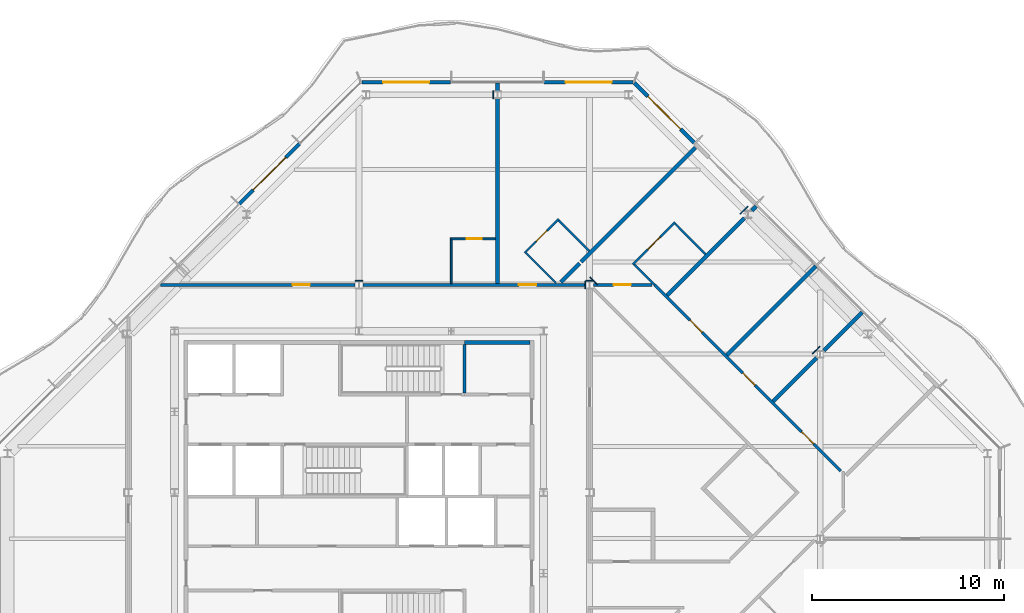
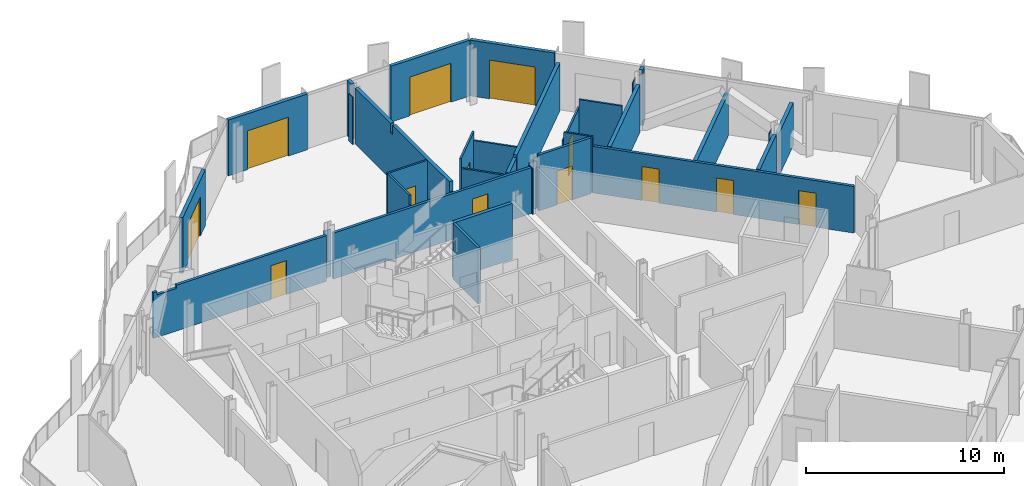
# One storey, part 11 of 17: 34 walls, 13 doors, 13 openings.
"""IFC4 building model written with IfcOpenShell, lengths in metres."""

from ifc_helpers import new_model, si_unit, direction, frame, frame_2d, origin, place, context, subcontext, project, spatial, polyline, rectangle, outline, extrude, material, layer, layer_set, type_object, element, fill, save


model = new_model("IFC4")

# Units and contexts
model_context = context("Model", 3, precision=1e-05, world=origin(), true_north=direction((0.0, 1.0)))
body_context = subcontext(model_context, "Body", "Model", "MODEL_VIEW")
ifc_project = project(units=[si_unit("LENGTHUNIT", "METRE"), si_unit("AREAUNIT", "SQUARE_METRE"), si_unit("VOLUMEUNIT", "CUBIC_METRE"), si_unit("PLANEANGLEUNIT", "RADIAN"), si_unit("MASSUNIT", "GRAM", prefix="KILO")], contexts=[model_context])

# Site, building, storey
site_placement = place(None, origin())
site = spatial("IfcSite", under=ifc_project, at=site_placement, CompositionType="ELEMENT")
building_placement = place(site_placement, origin())
building = spatial("IfcBuilding", under=site, at=building_placement, Name="Cairn Pilgrim Tower", CompositionType="ELEMENT")
storey_placement = place(building_placement, frame((0.0, 0.0, 274.199951171875)))
storey = spatial("IfcBuildingStorey", under=building, at=storey_placement, Name="L70", CompositionType="ELEMENT", Elevation=274.199951171875)

# Wall, opening, door
ifc_material_1 = material(Name="Bronze anodised aluminium insulated sandwich panel with mineral wool fill", Category="aluminium")
ifc_layer_1 = layer(ifc_material_1, 0.199951171875)
ifc_layer_set_1 = layer_set([ifc_layer_1], Name="BRONZE INFILL FRAME WALL 200")
wall_type_1 = type_object("IfcWallType", Name="BRONZE INFILL FRAME WALL 200", PredefinedType="NOTDEFINED", material=ifc_layer_set_1)
wall_1_placement = place(storey_placement, frame((24.65087890625, 20.595703125, 0.0), z_axis=(0.0, 0.0, 1.0), x_axis=(-0.707134392299, 0.707079168996, 0.0)))
wall_1 = element("IfcWall", 1, at=wall_1_placement, inside=storey, type_object=wall_type_1, Name="Bronze infill frame wall IW-NE6", PredefinedType="NOTDEFINED", context=body_context, shape_type="SweptSolid", body=[
    extrude(rectangle(XDim=4.4208984375, YDim=0.199951171875, at=frame_2d((2.21044921875, 0.0))), origin(), (0.0, 0.0, 1.0), 3.449951171875),
])
opening_1_placement = place(wall_1_placement, frame((1.015625, 0.0, 0.0)))
opening_1 = element("IfcOpeningElement", 2, at=opening_1_placement, cuts=wall_1, Name="Opening 7009B2", PredefinedType="OPENING", context=body_context, shape_type="SweptSolid", body=[
    extrude(rectangle(XDim=2.39990234375, YDim=2.39990234375, at=frame_2d((1.199951171875, 1.199951171875))), frame((0.0, 0.10986328125, 0.0), z_axis=(0.0, -1.0, 0.0), x_axis=(1.0, 0.0, 0.0)), (0.0, 0.0, 1.0), 0.219970703125),
])
ifc_material_2 = material(Name="Bronze anodised aluminium frame with tinted low-E glass", Category="aluminium")
door_type_1 = type_object("IfcDoorType", Name="BALCONY SLIDING DOOR 2400x2400", OperationType="DOUBLE_DOOR_SLIDING", PredefinedType="DOOR", material=ifc_material_2)
door_1_placement = place(opening_1_placement, origin())
door_1 = element("IfcDoor", 3, at=door_1_placement, inside=storey, type_object=door_type_1, Name="Balcony sliding door 7009B2", OperationType="SINGLE_SWING_LEFT", OverallHeight=2.39990234375, OverallWidth=2.39990234375, PredefinedType="DOOR", context=body_context, shape_type="SweptSolid", body=[
    extrude(rectangle(XDim=2.39990234375, YDim=2.39990234375, at=frame_2d((1.199951171875, 1.199951171875))), frame((0.0, 0.02490234375, 0.0), z_axis=(0.0, -1.0, 0.0), x_axis=(1.0, 0.0, 0.0)), (0.0, 0.0, 1.0), 0.050048828125),
])
fill(opening_1, door_1)

wall_2_placement = place(storey_placement, frame((21.45654296875, 23.75, 0.0), z_axis=(0.0, 0.0, 1.0), x_axis=(-1.0, 0.0, 0.0)))
wall_2 = element("IfcWall", 4, at=wall_2_placement, inside=storey, type_object=wall_type_1, Name="Bronze infill frame wall IW-N1", PredefinedType="NOTDEFINED", context=body_context, shape_type="SweptSolid", body=[
    extrude(rectangle(XDim=4.62646484375, YDim=0.199951171875, at=frame_2d((2.313232421875, 0.0))), origin(), (0.0, 0.0, 1.0), 3.449951171875),
])
opening_2_placement = place(wall_2_placement, frame((1.1083984375, 0.0, 0.0)))
opening_2 = element("IfcOpeningElement", 5, at=opening_2_placement, cuts=wall_2, Name="Opening 7009B", PredefinedType="OPENING", context=body_context, shape_type="SweptSolid", body=[
    extrude(rectangle(XDim=2.39990234375, YDim=2.39990234375, at=frame_2d((1.199951171875, 1.199951171875))), frame((0.0, 0.10986328125, 0.0), z_axis=(0.0, -1.0, 0.0), x_axis=(1.0, 0.0, 0.0)), (0.0, 0.0, 1.0), 0.219970703125),
])
door_2_placement = place(opening_2_placement, origin())
door_2 = element("IfcDoor", 6, at=door_2_placement, inside=storey, type_object=door_type_1, Name="Balcony sliding door 7009B", OperationType="SINGLE_SWING_LEFT", OverallHeight=2.39990234375, OverallWidth=2.39990234375, PredefinedType="DOOR", context=body_context, shape_type="SweptSolid", body=[
    extrude(rectangle(XDim=2.39990234375, YDim=2.39990234375, at=frame_2d((1.199951171875, 1.199951171875))), frame((0.0, 0.02490234375, 0.0), z_axis=(0.0, -1.0, 0.0), x_axis=(1.0, 0.0, 0.0)), (0.0, 0.0, 1.0), 0.050048828125),
])
fill(opening_2, door_2)

wall_3_placement = place(storey_placement, frame((11.969970703125, 23.75, 0.0), z_axis=(0.0, 0.0, 1.0), x_axis=(-1.0, 0.0, 0.0)))
wall_3 = element("IfcWall", 7, at=wall_3_placement, inside=storey, type_object=wall_type_1, Name="Bronze infill frame wall IW-N3", PredefinedType="NOTDEFINED", context=body_context, shape_type="SweptSolid", body=[
    extrude(rectangle(XDim=4.62646484375, YDim=0.199951171875, at=frame_2d((2.313232421875, 0.0))), origin(), (0.0, 0.0, 1.0), 3.449951171875),
])
opening_3_placement = place(wall_3_placement, frame((1.117919921875, 0.0, 0.0)))
opening_3 = element("IfcOpeningElement", 8, at=opening_3_placement, cuts=wall_3, Name="Opening 7010B2", PredefinedType="OPENING", context=body_context, shape_type="SweptSolid", body=[
    extrude(rectangle(XDim=2.39990234375, YDim=2.39990234375, at=frame_2d((1.199951171875, 1.199951171875))), frame((0.0, 0.10986328125, 0.0), z_axis=(0.0, -1.0, 0.0), x_axis=(1.0, 0.0, 0.0)), (0.0, 0.0, 1.0), 0.219970703125),
])
door_3_placement = place(opening_3_placement, origin())
door_3 = element("IfcDoor", 9, at=door_3_placement, inside=storey, type_object=door_type_1, Name="Balcony sliding door 7010B2", OperationType="SINGLE_SWING_LEFT", OverallHeight=2.39990234375, OverallWidth=2.39990234375, PredefinedType="DOOR", context=body_context, shape_type="SweptSolid", body=[
    extrude(rectangle(XDim=2.39990234375, YDim=2.39990234375, at=frame_2d((1.199951171875, 1.199951171875))), frame((0.0, 0.02490234375, 0.0), z_axis=(0.0, -1.0, 0.0), x_axis=(1.0, 0.0, 0.0)), (0.0, 0.0, 1.0), 0.050048828125),
])
fill(opening_3, door_3)

wall_4_placement = place(storey_placement, frame((4.106689453125, 20.55322265625, 0.0), z_axis=(0.0, 0.0, 1.0), x_axis=(-0.707079231393, -0.707134329907, 0.0)))
wall_4 = element("IfcWall", 10, at=wall_4_placement, inside=storey, type_object=wall_type_1, Name="Bronze infill frame wall IW-NW2", PredefinedType="NOTDEFINED", context=body_context, shape_type="SweptSolid", body=[
    extrude(rectangle(XDim=4.430908203125, YDim=0.199951171875, at=frame_2d((2.21533203125, 0.0))), origin(), (0.0, 0.0, 1.0), 3.449951171875),
])
opening_4_placement = place(wall_4_placement, frame((1.015380859375, 0.0, 0.0)))
opening_4 = element("IfcOpeningElement", 11, at=opening_4_placement, cuts=wall_4, Name="Opening 7010B", PredefinedType="OPENING", context=body_context, shape_type="SweptSolid", body=[
    extrude(rectangle(XDim=2.39990234375, YDim=2.39990234375, at=frame_2d((1.199951171875, 1.199951171875))), frame((0.0, 0.10986328125, 0.0), z_axis=(0.0, -1.0, 0.0), x_axis=(1.0, 0.0, 0.0)), (0.0, 0.0, 1.0), 0.219970703125),
])
door_4_placement = place(opening_4_placement, origin())
door_4 = element("IfcDoor", 12, at=door_4_placement, inside=storey, type_object=door_type_1, Name="Balcony sliding door 7010B", OperationType="SINGLE_SWING_LEFT", OverallHeight=2.39990234375, OverallWidth=2.39990234375, PredefinedType="DOOR", context=body_context, shape_type="SweptSolid", body=[
    extrude(rectangle(XDim=2.39990234375, YDim=2.39990234375, at=frame_2d((1.199951171875, 1.199951171875))), frame((0.0, 0.02490234375, 0.0), z_axis=(0.0, -1.0, 0.0), x_axis=(1.0, 0.0, 0.0)), (0.0, 0.0, 1.0), 0.050048828125),
])
fill(opening_4, door_4)

# Walls
ifc_material_3 = material(Name="Concrete C32/40", Category="concrete")
ifc_layer_2 = layer(ifc_material_3, 0.199951171875)
ifc_layer_set_2 = layer_set([ifc_layer_2], Name="CORE OUTER WALL 200 EI 120")
wall_type_2 = type_object("IfcWallType", Name="CORE OUTER WALL 200 EI 120", PredefinedType="SOLIDWALL", material=ifc_layer_set_2)
wall_5_placement = place(storey_placement, frame((12.699951171875, 10.199951171875, 0.0), z_axis=(0.0, 0.0, 1.0), x_axis=(1.0, 0.0, 0.0)))
element("IfcWall", 13, at=wall_5_placement, inside=storey, type_object=wall_type_2, Name="CW:L70:H12-3", PredefinedType="SOLIDWALL", context=body_context, shape_type="SweptSolid", body=[
    extrude(rectangle(XDim=3.400146484375, YDim=0.199951171875, at=frame_2d((1.7001953125, 0.0))), origin(), (0.0, 0.0, 1.0), 3.449951171875),
])
ifc_material_4 = material(Name="Gypsum partition")
ifc_layer_3 = layer(ifc_material_4, 0.10009765625)
ifc_layer_set_3 = layer_set([ifc_layer_3], Name="PARTITION 100 DRYWALL")
wall_type_3 = type_object("IfcWallType", Name="PARTITION 100 DRYWALL", PredefinedType="PARTITIONING", material=ifc_layer_set_3)
wall_6_placement = place(storey_placement, frame((22.593994140625, 13.199951171875, 0.0), z_axis=(0.0, 0.0, 1.0), x_axis=(-0.707106781187, 0.707106781187, 0.0)))
element("IfcWall", 14, at=wall_6_placement, inside=storey, type_object=wall_type_3, Name="PARTITION W053", PredefinedType="PARTITIONING", context=body_context, shape_type="SweptSolid", body=[
    extrude(rectangle(XDim=1.513916015625, YDim=0.10009765625, at=frame_2d((0.7568359375, 0.0))), origin(), (0.0, 0.0, 1.0), 3.449951171875),
])
wall_7_placement = place(storey_placement, frame((12.0, 13.27490234375, 0.0), z_axis=(0.0, 0.0, 1.0), x_axis=(0.0, 1.0, 0.0)))
element("IfcWall", 15, at=wall_7_placement, inside=storey, type_object=wall_type_3, Name="PARTITION W054", PredefinedType="PARTITIONING", context=body_context, shape_type="SweptSolid", body=[
    extrude(outline(polyline([(0.0, 0.0), (2.275146484375, 0.0), (2.27490234375, 3.449951171875), (0.074951171875, 3.449951171875), (0.072998046875, 2.830078125), (0.0, 2.830078125), (0.0, 0.0)])), frame((0.0, 0.050048828125, 0.0), z_axis=(0.0, -1.0, 0.0), x_axis=(1.0, 0.0, 0.0)), (0.0, 0.0, 1.0), 0.10009765625),
])
wall_8_placement = place(storey_placement, frame((17.441650390625, 13.310302734375, 0.0), z_axis=(0.0, 0.0, 1.0), x_axis=(-0.707273623788, 0.706939899209, 0.0)))
element("IfcWall", 16, at=wall_8_placement, inside=storey, type_object=wall_type_3, Name="PARTITION W056", PredefinedType="PARTITIONING", context=body_context, shape_type="SweptSolid", body=[
    extrude(rectangle(XDim=2.194580078125, YDim=0.10009765625, at=frame_2d((1.09716796875, 0.0))), origin(), (0.0, 0.0, 1.0), 2.830078125),
])

# Wall, opening, door
wall_9_placement = place(storey_placement, frame((21.45263671875, 14.2705078125, 0.0), z_axis=(0.0, 0.0, 1.0), x_axis=(0.70690988682, 0.707303620743, 0.0)))
wall_9 = element("IfcWall", 17, at=wall_9_placement, inside=storey, type_object=wall_type_3, Name="PARTITION W058", PredefinedType="PARTITIONING", context=body_context, shape_type="SweptSolid", body=[
    extrude(rectangle(XDim=3.100341796875, YDim=0.10009765625, at=frame_2d((1.55029296875, 0.0))), origin(), (0.0, 0.0, 1.0), 2.929931640625),
])
opening_5_placement = place(wall_9_placement, frame((1.100341796875, 0.0, 0.0)))
opening_5 = element("IfcOpeningElement", 18, at=opening_5_placement, cuts=wall_9, Name="Opening 7008A", PredefinedType="OPENING", context=body_context, shape_type="SweptSolid", body=[
    extrude(rectangle(XDim=0.89990234375, YDim=2.10009765625, at=frame_2d((0.449951171875, 1.050048828125))), frame((0.0, 0.06005859375, 0.0), z_axis=(0.0, -1.0, 0.0), x_axis=(1.0, 0.0, 0.0)), (0.0, 0.0, 1.0), 0.1201171875),
])
ifc_material_5 = material(Name="Timber door leaf", Category="wood")
door_type_2 = type_object("IfcDoorType", Name="WC DOOR 900x2100", OperationType="NOTDEFINED", PredefinedType="DOOR", material=ifc_material_5)
door_5_placement = place(opening_5_placement, origin())
door_5 = element("IfcDoor", 19, at=door_5_placement, inside=storey, type_object=door_type_2, Name="DOOR 7008A", OperationType="SINGLE_SWING_LEFT", OverallHeight=2.10009765625, OverallWidth=0.89990234375, PredefinedType="DOOR", context=body_context, shape_type="SweptSolid", body=[
    extrude(rectangle(XDim=0.89990234375, YDim=2.10009765625, at=frame_2d((0.449951171875, 1.050048828125))), frame((0.0, 0.02490234375, 0.0), z_axis=(0.0, -1.0, 0.0), x_axis=(1.0, 0.0, 0.0)), (0.0, 0.0, 1.0), 0.050048828125),
])
fill(opening_5, door_5)

# Wall
wall_10_placement = place(storey_placement, frame((25.2353515625, 14.80078125, 0.0), z_axis=(0.0, 0.0, 1.0), x_axis=(-0.706944047094, 0.707269477836, 0.0)))
element("IfcWall", 20, at=wall_10_placement, inside=storey, type_object=wall_type_3, Name="PARTITION W060", PredefinedType="PARTITIONING", context=body_context, shape_type="SweptSolid", body=[
    extrude(rectangle(XDim=2.250732421875, YDim=0.10009765625, at=frame_2d((1.12548828125, 0.0))), origin(), (0.0, 0.0, 1.0), 3.449951171875),
])

# Wall, opening, door
wall_11_placement = place(storey_placement, frame((15.818603515625, 14.86181640625, 0.0), z_axis=(0.0, 0.0, 1.0), x_axis=(0.707350821469, 0.706862656651, 0.0)))
wall_11 = element("IfcWall", 21, at=wall_11_placement, inside=storey, type_object=wall_type_3, Name="PARTITION W061", PredefinedType="PARTITIONING", context=body_context, shape_type="SweptSolid", body=[
    extrude(rectangle(XDim=2.50048828125, YDim=0.10009765625, at=frame_2d((1.250244140625, 0.0))), origin(), (0.0, 0.0, 1.0), 3.449951171875),
])
opening_6_placement = place(wall_11_placement, frame((0.8505859375, 0.0, 0.0)))
opening_6 = element("IfcOpeningElement", 22, at=opening_6_placement, cuts=wall_11, Name="Opening 7009A", PredefinedType="OPENING", context=body_context, shape_type="SweptSolid", body=[
    extrude(rectangle(XDim=0.800048828125, YDim=2.10009765625, at=frame_2d((0.39990234375, 1.050048828125))), frame((0.0, 0.06005859375, 0.0), z_axis=(0.0, -1.0, 0.0), x_axis=(1.0, 0.0, 0.0)), (0.0, 0.0, 1.0), 0.1201171875),
])
door_type_3 = type_object("IfcDoorType", Name="WC DOOR 800x2100", OperationType="NOTDEFINED", PredefinedType="DOOR", material=ifc_material_5)
door_6_placement = place(opening_6_placement, origin())
door_6 = element("IfcDoor", 23, at=door_6_placement, inside=storey, type_object=door_type_3, Name="DOOR 7009A", OperationType="SINGLE_SWING_LEFT", OverallHeight=2.10009765625, OverallWidth=0.800048828125, PredefinedType="DOOR", context=body_context, shape_type="SweptSolid", body=[
    extrude(rectangle(XDim=0.800048828125, YDim=2.10009765625, at=frame_2d((0.39990234375, 1.050048828125))), frame((0.0, 0.02490234375, 0.0), z_axis=(0.0, -1.0, 0.0), x_axis=(1.0, 0.0, 0.0)), (0.0, 0.0, 1.0), 0.050048828125),
])
fill(opening_6, door_6)

# Wall
wall_12_placement = place(storey_placement, frame((19.17724609375, 14.9677734375, 0.0), z_axis=(0.0, 0.0, 1.0), x_axis=(-0.706889644159, 0.707323851557, 0.0)))
element("IfcWall", 24, at=wall_12_placement, inside=storey, type_object=wall_type_3, Name="PARTITION W062", PredefinedType="PARTITIONING", context=body_context, shape_type="SweptSolid", body=[
    extrude(rectangle(XDim=2.2490234375, YDim=0.10009765625, at=frame_2d((1.12451171875, 0.0))), origin(), (0.0, 0.0, 1.0), 2.929931640625),
])

# Wall, opening, door
wall_13_placement = place(storey_placement, frame((11.949951171875, 15.60009765625, 0.0), z_axis=(0.0, 0.0, 1.0), x_axis=(1.0, 0.0, 0.0)))
wall_13 = element("IfcWall", 25, at=wall_13_placement, inside=storey, type_object=wall_type_3, Name="PARTITION W063", PredefinedType="PARTITIONING", context=body_context, shape_type="SweptSolid", body=[
    extrude(rectangle(XDim=2.35009765625, YDim=0.10009765625, at=frame_2d((1.175048828125, 0.0))), origin(), (0.0, 0.0, 1.0), 3.449951171875),
])
opening_7_placement = place(wall_13_placement, frame((0.85009765625, 0.0, 0.0)))
opening_7 = element("IfcOpeningElement", 26, at=opening_7_placement, cuts=wall_13, Name="Opening 7010A", PredefinedType="OPENING", context=body_context, shape_type="SweptSolid", body=[
    extrude(rectangle(XDim=0.800048828125, YDim=2.10009765625, at=frame_2d((0.39990234375, 1.050048828125))), frame((0.0, 0.06005859375, 0.0), z_axis=(0.0, -1.0, 0.0), x_axis=(1.0, 0.0, 0.0)), (0.0, 0.0, 1.0), 0.1201171875),
])
door_7_placement = place(opening_7_placement, origin())
door_7 = element("IfcDoor", 27, at=door_7_placement, inside=storey, type_object=door_type_3, Name="DOOR 7010A", OperationType="SINGLE_SWING_RIGHT", OverallHeight=2.10009765625, OverallWidth=0.800048828125, PredefinedType="DOOR", context=body_context, shape_type="SweptSolid", body=[
    extrude(rectangle(XDim=0.800048828125, YDim=2.10009765625, at=frame_2d((0.39990234375, 1.050048828125))), frame((0.0, 0.02490234375, 0.0), z_axis=(0.0, -1.0, 0.0), x_axis=(1.0, 0.0, 0.0)), (0.0, 0.0, 1.0), 0.050048828125),
])
fill(opening_7, door_7)

# Wall, openings, doors
ifc_layer_4 = layer(ifc_material_4, 0.14990234375)
ifc_layer_set_4 = layer_set([ifc_layer_4], Name="PARTITION 150 DRYWALL EI 60")
wall_type_4 = type_object("IfcWallType", Name="PARTITION 150 DRYWALL EI 60", PredefinedType="PARTITIONING", material=ifc_layer_set_4)
wall_14_placement = place(storey_placement, frame((32.27197265625, 3.52197265625, 0.0), z_axis=(0.0, 0.0, 1.0), x_axis=(-0.707106781187, 0.707106781187, 0.0)))
wall_14 = element("IfcWall", 28, at=wall_14_placement, inside=storey, type_object=wall_type_4, Name="PARTITION W044", PredefinedType="PARTITIONING", context=body_context, shape_type="SweptSolid", body=[
    extrude(rectangle(XDim=13.686767578125, YDim=0.14990234375, at=frame_2d((6.84326171875, 0.0))), origin(), (0.0, 0.0, 1.0), 2.880126953125),
])
opening_8_placement = place(wall_14_placement, frame((1.98779296875, 0.0, 0.0)))
opening_8 = element("IfcOpeningElement", 29, at=opening_8_placement, cuts=wall_14, Name="Opening 7005", PredefinedType="OPENING", context=body_context, shape_type="SweptSolid", body=[
    extrude(rectangle(XDim=0.89990234375, YDim=2.10009765625, at=frame_2d((0.449951171875, 1.050048828125))), frame((0.0, 0.0849609375, 0.0), z_axis=(0.0, -1.0, 0.0), x_axis=(1.0, 0.0, 0.0)), (0.0, 0.0, 1.0), 0.169921875),
])
opening_9_placement = place(wall_14_placement, frame((6.302978515625, 0.0, 0.0)))
opening_9 = element("IfcOpeningElement", 30, at=opening_9_placement, cuts=wall_14, Name="Opening 7006", PredefinedType="OPENING", context=body_context, shape_type="SweptSolid", body=[
    extrude(rectangle(XDim=0.89990234375, YDim=2.10009765625, at=frame_2d((0.449951171875, 1.050048828125))), frame((0.0, 0.0849609375, 0.0), z_axis=(0.0, -1.0, 0.0), x_axis=(1.0, 0.0, 0.0)), (0.0, 0.0, 1.0), 0.169921875),
])
opening_10_placement = place(wall_14_placement, frame((10.199951171875, 0.0, 0.0)))
opening_10 = element("IfcOpeningElement", 31, at=opening_10_placement, cuts=wall_14, Name="Opening 7007", PredefinedType="OPENING", context=body_context, shape_type="SweptSolid", body=[
    extrude(rectangle(XDim=0.89990234375, YDim=2.10009765625, at=frame_2d((0.449951171875, 1.050048828125))), frame((0.0, 0.0849609375, 0.0), z_axis=(0.0, -1.0, 0.0), x_axis=(1.0, 0.0, 0.0)), (0.0, 0.0, 1.0), 0.169921875),
])
door_type_4 = type_object("IfcDoorType", Name="SERVICE DOOR 900x2100 FD30S", OperationType="NOTDEFINED", PredefinedType="DOOR", material=ifc_material_5)
door_8_placement = place(opening_8_placement, frame((0.89990234375, 0.0, 0.0), z_axis=(0.0, 0.0, 1.0), x_axis=(-1.0, 0.0, 0.0)))
door_8 = element("IfcDoor", 32, at=door_8_placement, inside=storey, type_object=door_type_4, Name="DOOR 7005", OperationType="SINGLE_SWING_LEFT", OverallHeight=2.10009765625, OverallWidth=0.89990234375, PredefinedType="DOOR", context=body_context, shape_type="SweptSolid", body=[
    extrude(rectangle(XDim=0.89990234375, YDim=2.10009765625, at=frame_2d((0.449951171875, 1.050048828125))), frame((0.0, 0.02490234375, 0.0), z_axis=(0.0, -1.0, 0.0), x_axis=(1.0, 0.0, 0.0)), (0.0, 0.0, 1.0), 0.050048828125),
])
fill(opening_8, door_8)
door_9_placement = place(opening_9_placement, frame((0.89990234375, 0.0, 0.0), z_axis=(0.0, 0.0, 1.0), x_axis=(-1.0, 0.0, 0.0)))
door_9 = element("IfcDoor", 33, at=door_9_placement, inside=storey, type_object=door_type_4, Name="DOOR 7006", OperationType="SINGLE_SWING_LEFT", OverallHeight=2.10009765625, OverallWidth=0.89990234375, PredefinedType="DOOR", context=body_context, shape_type="SweptSolid", body=[
    extrude(rectangle(XDim=0.89990234375, YDim=2.10009765625, at=frame_2d((0.449951171875, 1.050048828125))), frame((0.0, 0.02490234375, 0.0), z_axis=(0.0, -1.0, 0.0), x_axis=(1.0, 0.0, 0.0)), (0.0, 0.0, 1.0), 0.050048828125),
])
fill(opening_9, door_9)
door_10_placement = place(opening_10_placement, frame((0.89990234375, 0.0, 0.0), z_axis=(0.0, 0.0, 1.0), x_axis=(-1.0, 0.0, 0.0)))
door_10 = element("IfcDoor", 34, at=door_10_placement, inside=storey, type_object=door_type_4, Name="DOOR 7007", OperationType="SINGLE_SWING_LEFT", OverallHeight=2.10009765625, OverallWidth=0.89990234375, PredefinedType="DOOR", context=body_context, shape_type="SweptSolid", body=[
    extrude(rectangle(XDim=0.89990234375, YDim=2.10009765625, at=frame_2d((0.449951171875, 1.050048828125))), frame((0.0, 0.02490234375, 0.0), z_axis=(0.0, -1.0, 0.0), x_axis=(1.0, 0.0, 0.0)), (0.0, 0.0, 1.0), 0.050048828125),
])
fill(opening_10, door_10)

# Wall, opening, door
wall_15_placement = place(storey_placement, frame((-3.126220703125, 13.199951171875, 0.0), z_axis=(0.0, 0.0, 1.0), x_axis=(1.0, 0.0, 0.0)))
wall_15 = element("IfcWall", 35, at=wall_15_placement, inside=storey, type_object=wall_type_4, Name="PARTITION W050", PredefinedType="PARTITIONING", context=body_context, shape_type="SweptSolid", body=[
    extrude(outline(polyline([(0.0, 0.0), (10.129150390625, 0.0), (10.129150390625, 2.830078125), (1.368896484375, 2.830078125), (1.366943359375, 2.630126953125), (0.22900390625, 2.630126953125), (0.226806640625, 2.830078125), (0.0, 2.830078125), (0.0, 0.0)])), frame((0.0, 0.074951171875, 0.0), z_axis=(0.0, -1.0, 0.0), x_axis=(1.0, 0.0, 0.0)), (0.0, 0.0, 1.0), 0.14990234375),
])
opening_11_placement = place(wall_15_placement, frame((6.8759765625, 0.0, 0.0)))
opening_11 = element("IfcOpeningElement", 36, at=opening_11_placement, cuts=wall_15, Name="Opening 7010", PredefinedType="OPENING", context=body_context, shape_type="SweptSolid", body=[
    extrude(rectangle(XDim=0.89990234375, YDim=2.10009765625, at=frame_2d((0.449951171875, 1.050048828125))), frame((0.0, 0.0849609375, 0.0), z_axis=(0.0, -1.0, 0.0), x_axis=(1.0, 0.0, 0.0)), (0.0, 0.0, 1.0), 0.169921875),
])
door_type_5 = type_object("IfcDoorType", Name="ROOM DOOR 900x2100 FD30S", OperationType="NOTDEFINED", PredefinedType="DOOR", material=ifc_material_5)
door_11_placement = place(opening_11_placement, origin())
door_11 = element("IfcDoor", 37, at=door_11_placement, inside=storey, type_object=door_type_5, Name="DOOR 7010", OperationType="SINGLE_SWING_RIGHT", OverallHeight=2.10009765625, OverallWidth=0.89990234375, PredefinedType="DOOR", context=body_context, shape_type="SweptSolid", body=[
    extrude(rectangle(XDim=0.89990234375, YDim=2.10009765625, at=frame_2d((0.449951171875, 1.050048828125))), frame((0.0, 0.02490234375, 0.0), z_axis=(0.0, -1.0, 0.0), x_axis=(1.0, 0.0, 0.0)), (0.0, 0.0, 1.0), 0.050048828125),
])
fill(opening_11, door_11)

wall_16_placement = place(storey_placement, frame((7.39697265625, 13.199951171875, 0.0), z_axis=(0.0, 0.0, 1.0), x_axis=(1.0, 0.0, 0.0)))
wall_16 = element("IfcWall", 38, at=wall_16_placement, inside=storey, type_object=wall_type_4, Name="PARTITION W051", PredefinedType="PARTITIONING", context=body_context, shape_type="SweptSolid", body=[
    extrude(rectangle(XDim=11.60595703125, YDim=0.14990234375, at=frame_2d((5.802978515625, 0.0))), origin(), (0.0, 0.0, 1.0), 2.830078125),
])
opening_12_placement = place(wall_16_placement, frame((8.12890625, 0.0, 0.0)))
opening_12 = element("IfcOpeningElement", 39, at=opening_12_placement, cuts=wall_16, Name="Opening 7009", PredefinedType="OPENING", context=body_context, shape_type="SweptSolid", body=[
    extrude(rectangle(XDim=0.89990234375, YDim=2.10009765625, at=frame_2d((0.449951171875, 1.050048828125))), frame((0.0, 0.0849609375, 0.0), z_axis=(0.0, -1.0, 0.0), x_axis=(1.0, 0.0, 0.0)), (0.0, 0.0, 1.0), 0.169921875),
])
door_12_placement = place(opening_12_placement, origin())
door_12 = element("IfcDoor", 40, at=door_12_placement, inside=storey, type_object=door_type_5, Name="DOOR 7009", OperationType="SINGLE_SWING_LEFT", OverallHeight=2.10009765625, OverallWidth=0.89990234375, PredefinedType="DOOR", context=body_context, shape_type="SweptSolid", body=[
    extrude(rectangle(XDim=0.89990234375, YDim=2.10009765625, at=frame_2d((0.449951171875, 1.050048828125))), frame((0.0, 0.02490234375, 0.0), z_axis=(0.0, -1.0, 0.0), x_axis=(1.0, 0.0, 0.0)), (0.0, 0.0, 1.0), 0.050048828125),
])
fill(opening_12, door_12)

wall_17_placement = place(storey_placement, frame((19.39697265625, 13.199951171875, 0.0), z_axis=(0.0, 0.0, 1.0), x_axis=(1.0, 0.0, 0.0)))
wall_17 = element("IfcWall", 41, at=wall_17_placement, inside=storey, type_object=wall_type_4, Name="PARTITION W052", PredefinedType="PARTITIONING", context=body_context, shape_type="SweptSolid", body=[
    extrude(rectangle(XDim=3.05126953125, YDim=0.14990234375, at=frame_2d((1.525634765625, 0.0))), origin(), (0.0, 0.0, 1.0), 3.449951171875),
])
opening_13_placement = place(wall_17_placement, frame((1.050048828125, 0.0, 0.0)))
opening_13 = element("IfcOpeningElement", 42, at=opening_13_placement, cuts=wall_17, Name="Opening 7008", PredefinedType="OPENING", context=body_context, shape_type="SweptSolid", body=[
    extrude(rectangle(XDim=0.89990234375, YDim=2.10009765625, at=frame_2d((0.449951171875, 1.050048828125))), frame((0.0, 0.0849609375, 0.0), z_axis=(0.0, -1.0, 0.0), x_axis=(1.0, 0.0, 0.0)), (0.0, 0.0, 1.0), 0.169921875),
])
door_13_placement = place(opening_13_placement, origin())
door_13 = element("IfcDoor", 43, at=door_13_placement, inside=storey, type_object=door_type_5, Name="DOOR 7008", OperationType="SINGLE_SWING_LEFT", OverallHeight=2.10009765625, OverallWidth=0.89990234375, PredefinedType="DOOR", context=body_context, shape_type="SweptSolid", body=[
    extrude(rectangle(XDim=0.89990234375, YDim=2.10009765625, at=frame_2d((0.449951171875, 1.050048828125))), frame((0.0, 0.02490234375, 0.0), z_axis=(0.0, -1.0, 0.0), x_axis=(1.0, 0.0, 0.0)), (0.0, 0.0, 1.0), 0.050048828125),
])
fill(opening_13, door_13)

# Walls
ifc_layer_5 = layer(ifc_material_4, 0.050048828125)
ifc_layer_set_5 = layer_set([ifc_layer_5], Name="PARTITION 50 DRYWALL EI 60")
wall_type_5 = type_object("IfcWallType", Name="PARTITION 50 DRYWALL EI 60", PredefinedType="PARTITIONING", material=ifc_layer_set_5)
wall_18_placement = place(storey_placement, frame((18.97802734375, 13.012451171875, 0.0), z_axis=(0.0, 0.0, 1.0), x_axis=(0.0, 1.0, 0.0)))
element("IfcWall", 44, at=wall_18_placement, inside=storey, type_object=wall_type_5, Name="COLUMN CASING WC16", PredefinedType="PARTITIONING", context=body_context, shape_type="SweptSolid", body=[
    extrude(rectangle(XDim=0.375, YDim=0.050048828125, at=frame_2d((0.1875, 0.0))), origin(), (0.0, 0.0, 1.0), 2.830078125),
])
wall_19_placement = place(storey_placement, frame((19.602294921875, 13.2177734375, 0.0), z_axis=(0.0, 0.0, 1.0), x_axis=(-0.707106781187, 0.707106781187, 0.0)))
element("IfcWall", 45, at=wall_19_placement, inside=storey, type_object=wall_type_5, Name="COLUMN CASING WC18", PredefinedType="PARTITIONING", context=body_context, shape_type="SweptSolid", body=[
    extrude(rectangle(XDim=0.543701171875, YDim=0.050048828125, at=frame_2d((0.27197265625, 0.0))), origin(), (0.0, 0.0, 1.0), 2.929931640625),
])
wall_20_placement = place(storey_placement, frame((30.7978515625, 9.61767578125, 0.0), z_axis=(0.0, 0.0, 1.0), x_axis=(0.707106781187, 0.707106781187, 0.0)))
element("IfcWall", 46, at=wall_20_placement, inside=storey, type_object=wall_type_5, Name="COLUMN CASING WC19", PredefinedType="PARTITIONING", context=body_context, shape_type="SweptSolid", body=[
    extrude(rectangle(XDim=0.543701171875, YDim=0.050048828125, at=frame_2d((0.27197265625, 0.0))), origin(), (0.0, 0.0, 1.0), 2.880126953125),
])
wall_21_placement = place(storey_placement, frame((27.037841796875, 16.893310546875, 0.0), z_axis=(0.0, 0.0, 1.0), x_axis=(0.707106781187, 0.707106781187, 0.0)))
element("IfcWall", 47, at=wall_21_placement, inside=storey, type_object=wall_type_5, Name="COLUMN CASING WC20", PredefinedType="PARTITIONING", context=body_context, shape_type="SweptSolid", body=[
    extrude(rectangle(XDim=0.56005859375, YDim=0.050048828125, at=frame_2d((0.280029296875, 0.0))), origin(), (0.0, 0.0, 1.0), 2.929931640625),
])
for number, where, z_axis, x_axis, name in (
    (48, (7.0029296875, 13.41259765625, 0.0), (0.0, 0.0, 1.0), (1.0, 0.0, 0.0), "COLUMN CASING WC21"),
    (49, (19.0029296875, 13.41259765625, 0.0), (0.0, 0.0, 1.0), (1.0, 0.0, 0.0), "COLUMN CASING WC22"),
):
    element("IfcWall", number, at=place(storey_placement, frame(where, z_axis=z_axis, x_axis=x_axis)), inside=storey, type_object=wall_type_5, Name=name, PredefinedType="PARTITIONING", context=body_context, shape_type="SweptSolid", body=[
        extrude(rectangle(XDim=0.39404296875, YDim=0.050048828125, at=frame_2d((0.197021484375, 0.0))), origin(), (0.0, 0.0, 1.0), 2.929931640625),
    ])
wall_22_placement = place(storey_placement, frame((14.175537109375, 22.903564453125, 0.0), z_axis=(0.0, 0.0, 1.0), x_axis=(0.0, 1.0, 0.0)))
element("IfcWall", 50, at=wall_22_placement, inside=storey, type_object=wall_type_5, Name="COLUMN CASING WC23", PredefinedType="PARTITIONING", context=body_context, shape_type="SweptSolid", body=[
    extrude(rectangle(XDim=0.392822265625, YDim=0.050048828125, at=frame_2d((0.1962890625, 0.0))), origin(), (0.0, 0.0, 1.0), 2.929931640625),
])
ifc_layer_6 = layer(ifc_material_4, 0.199951171875)
ifc_layer_set_6 = layer_set([ifc_layer_6], Name="SHAFT WALL 200 GYPSUM EI 60")
wall_type_6 = type_object("IfcWallType", Name="SHAFT WALL 200 GYPSUM EI 60", PredefinedType="PARTITIONING", material=ifc_layer_set_6)
wall_23_placement = place(storey_placement, frame((28.75, 7.14990234375, 0.0), z_axis=(0.0, 0.0, 1.0), x_axis=(0.707106781187, 0.707106781187, 0.0)))
element("IfcWall", 51, at=wall_23_placement, inside=storey, type_object=wall_type_6, Name="PARTITION W045", PredefinedType="PARTITIONING", context=body_context, shape_type="SweptSolid", body=[
    extrude(rectangle(XDim=3.193115234375, YDim=0.199951171875, at=frame_2d((1.5966796875, 0.0))), origin(), (0.0, 0.0, 1.0), 2.929931640625),
])
wall_24_placement = place(storey_placement, frame((26.35009765625, 9.550048828125, 0.0), z_axis=(0.0, 0.0, 1.0), x_axis=(0.707088140984, 0.707125420898, 0.0)))
element("IfcWall", 52, at=wall_24_placement, inside=storey, type_object=wall_type_6, Name="PARTITION W046", PredefinedType="PARTITIONING", context=body_context, shape_type="SweptSolid", body=[
    extrude(rectangle(XDim=6.548828125, YDim=0.199951171875, at=frame_2d((3.2744140625, 0.0))), origin(), (0.0, 0.0, 1.0), 2.630126953125),
])
wall_25_placement = place(storey_placement, frame((31.392333984375, 9.792236328125, 0.0), z_axis=(0.0, 0.0, 1.0), x_axis=(0.707106781187, 0.707106781187, 0.0)))
element("IfcWall", 53, at=wall_25_placement, inside=storey, type_object=wall_type_6, Name="PARTITION W047", PredefinedType="PARTITIONING", context=body_context, shape_type="SweptSolid", body=[
    extrude(rectangle(XDim=2.812255859375, YDim=0.199951171875, at=frame_2d((1.40625, 0.0))), origin(), (0.0, 0.0, 1.0), 2.630126953125),
])
wall_26_placement = place(storey_placement, frame((23.238037109375, 12.662109375, 0.0), z_axis=(0.0, 0.0, 1.0), x_axis=(0.707128276734, 0.707085284986, 0.0)))
element("IfcWall", 54, at=wall_26_placement, inside=storey, type_object=wall_type_6, Name="PARTITION W049", PredefinedType="PARTITIONING", context=body_context, shape_type="SweptSolid", body=[
    extrude(rectangle(XDim=5.6787109375, YDim=0.199951171875, at=frame_2d((2.83935546875, 0.0))), origin(), (0.0, 0.0, 1.0), 2.929931640625),
])
wall_27_placement = place(storey_placement, frame((14.39990234375, 13.27490234375, 0.0), z_axis=(0.0, 0.0, 1.0), x_axis=(0.0, 1.0, 0.0)))
element("IfcWall", 55, at=wall_27_placement, inside=storey, type_object=wall_type_6, Name="PARTITION W055", PredefinedType="PARTITIONING", context=body_context, shape_type="SweptSolid", body=[
    extrude(outline(polyline([(0.0, 0.0), (9.628662109375, 0.0), (9.62841796875, 3.449951171875), (6.030029296875, 3.449951171875), (6.028076171875, 2.880126953125), (5.820068359375, 2.880126953125), (5.818115234375, 3.449951171875), (0.074951171875, 3.449951171875), (0.072998046875, 2.830078125), (0.0, 2.830078125), (0.0, 0.0)])), frame((0.0, 0.10009765625, 0.0), z_axis=(0.0, -1.0, 0.0), x_axis=(1.0, 0.0, 0.0)), (0.0, 0.0, 1.0), 0.199951171875),
])
wall_28_placement = place(storey_placement, frame((17.697509765625, 13.345703125, 0.0), z_axis=(0.0, 0.0, 1.0), x_axis=(0.707019164958, 0.70719438656, 0.0)))
element("IfcWall", 56, at=wall_28_placement, inside=storey, type_object=wall_type_6, Name="PARTITION W057", PredefinedType="PARTITIONING", context=body_context, shape_type="SweptSolid", body=[
    extrude(rectangle(XDim=1.393310546875, YDim=0.199951171875, at=frame_2d((0.69677734375, 0.0))), origin(), (0.0, 0.0, 1.0), 2.830078125),
])
wall_29_placement = place(storey_placement, frame((18.7529296875, 14.402099609375, 0.0), z_axis=(0.0, 0.0, 1.0), x_axis=(0.707179267043, 0.707034287899, 0.0)))
element("IfcWall", 57, at=wall_29_placement, inside=storey, type_object=wall_type_6, Name="PARTITION W059", PredefinedType="PARTITIONING", context=body_context, shape_type="SweptSolid", body=[
    extrude(rectangle(XDim=8.419921875, YDim=0.199951171875, at=frame_2d((4.2099609375, 0.0))), origin(), (0.0, 0.0, 1.0), 2.929931640625),
])
wall_30_placement = place(storey_placement, frame((27.649658203125, 17.073486328125, 0.0), z_axis=(0.0, 0.0, 1.0), x_axis=(0.707106781187, 0.707106781187, 0.0)))
element("IfcWall", 58, at=wall_30_placement, inside=storey, type_object=wall_type_6, Name="PARTITION W064", PredefinedType="PARTITIONING", context=body_context, shape_type="SweptSolid", body=[
    extrude(rectangle(XDim=0.31005859375, YDim=0.199951171875, at=frame_2d((0.155029296875, 0.0))), origin(), (0.0, 0.0, 1.0), 3.449951171875),
])
wall_31_placement = place(storey_placement, frame((14.39990234375, 23.29638671875, 0.0), z_axis=(0.0, 0.0, 1.0), x_axis=(0.0, 1.0, 0.0)))
element("IfcWall", 59, at=wall_31_placement, inside=storey, type_object=wall_type_6, Name="PARTITION W065", PredefinedType="PARTITIONING", context=body_context, shape_type="SweptSolid", body=[
    extrude(rectangle(XDim=0.406494140625, YDim=0.199951171875, at=frame_2d((0.203125, 0.0))), origin(), (0.0, 0.0, 1.0), 3.449951171875),
])
ifc_material_6 = material(Name="Concrete C35/45", Category="concrete")
ifc_layer_7 = layer(ifc_material_6, 0.14990234375)
ifc_layer_set_7 = layer_set([ifc_layer_7], Name="STAIR SHAFT WALL 150 EI 120")
wall_type_7 = type_object("IfcWallType", Name="STAIR SHAFT WALL 150 EI 120", PredefinedType="SOLIDWALL", material=ifc_layer_set_7)
wall_32_placement = place(storey_placement, frame((12.699951171875, 7.574951171875, 0.0), z_axis=(0.0, 0.0, 1.0), x_axis=(0.0, 1.0, 0.0)))
element("IfcWall", 60, at=wall_32_placement, inside=storey, type_object=wall_type_7, Name="CW:L70:V27", PredefinedType="SOLIDWALL", context=body_context, shape_type="SweptSolid", body=[
    extrude(rectangle(XDim=2.525146484375, YDim=0.14990234375, at=frame_2d((1.2626953125, 0.0))), origin(), (0.0, 0.0, 1.0), 3.449951171875),
])

save(model, "model.ifc")
